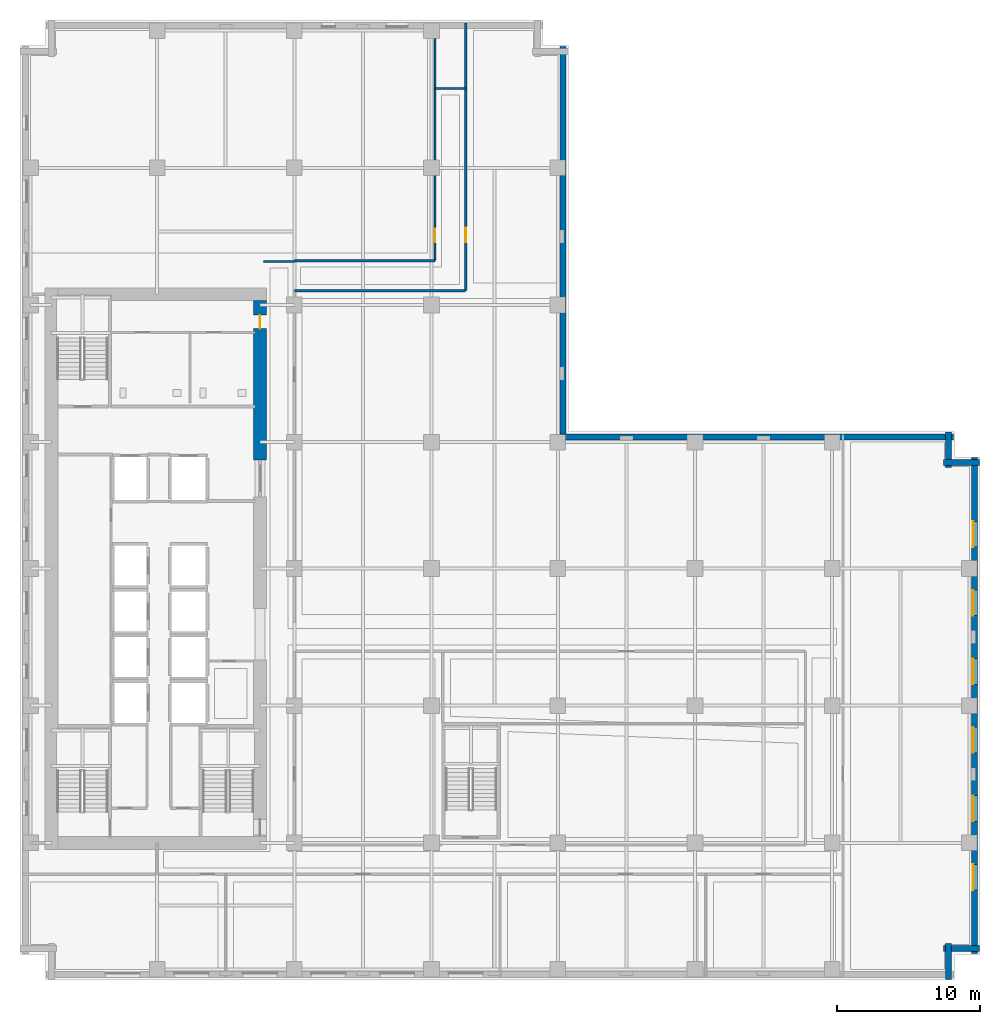
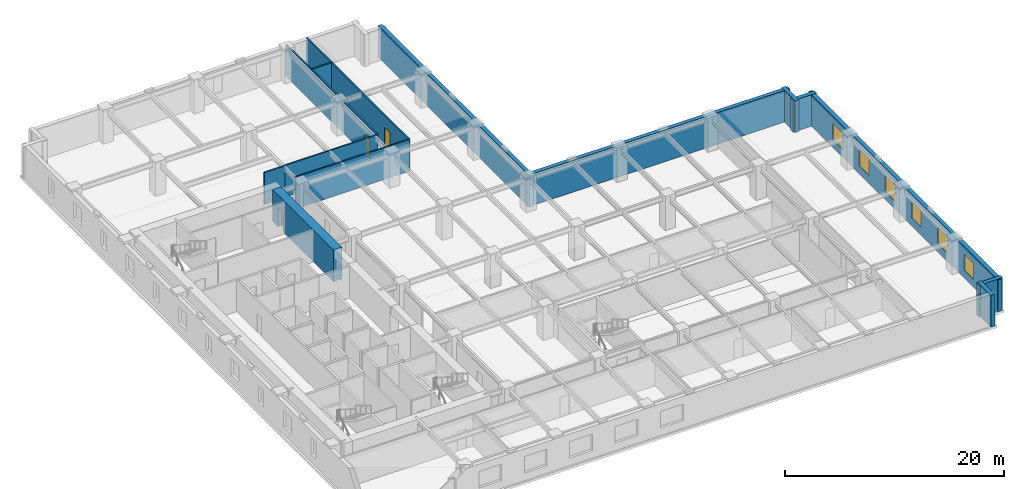
# One storey, part 7 of 13: 14 walls, 6 windows, 3 doors, 9 openings.
"""IFC4 building model written with IfcOpenShell, lengths in metres."""

from ifc_helpers import new_model, si_unit, direction, frame, frame_2d, origin, place, context, subcontext, project, spatial, rectangle, extrude, material, layer, layer_set, type_object, element, fill, save


model = new_model("IFC4")

# Units and contexts
model_context = context("Model", 3, precision=1e-05, world=origin(), true_north=direction((0.0, 1.0)))
body_context = subcontext(model_context, "Body", "Model", "MODEL_VIEW")
ifc_project = project(units=[si_unit("LENGTHUNIT", "METRE"), si_unit("AREAUNIT", "SQUARE_METRE"), si_unit("VOLUMEUNIT", "CUBIC_METRE"), si_unit("PLANEANGLEUNIT", "RADIAN"), si_unit("MASSUNIT", "GRAM", prefix="KILO")], contexts=[model_context])

# Site, building, storey
site_placement = place(None, origin())
site = spatial("IfcSite", under=ifc_project, at=site_placement, CompositionType="ELEMENT")
building_placement = place(site_placement, origin())
building = spatial("IfcBuilding", under=site, at=building_placement, Name="Norrvale University Quadrangle", CompositionType="ELEMENT")
storey_placement = place(building_placement, frame((0.0, 0.0, 77.39990234375)))
storey = spatial("IfcBuildingStorey", under=building, at=storey_placement, Name="L19", CompositionType="ELEMENT", Elevation=77.39990234375)

# Walls
ifc_material_1 = material(Name="Buff Norman Clay Brick Masonry", Category="masonry")
ifc_layer_1 = layer(ifc_material_1, 0.419921875, Name="Buff Norman Clay Brick Masonry")
ifc_layer_set_1 = layer_set([ifc_layer_1], Name="Buff Norman Clay Brick Masonry")
wall_type_1 = type_object("IfcWallType", Name="Wall Buff Brick 420", PredefinedType="SOLIDWALL", material=ifc_layer_set_1)
for number, where, z_axis, x_axis, name in (
    (1, (65.010009765625, 0.0400390625, 0.0), (0.0, 0.0, 1.0), (0.0, 1.0, 0.0), "Exterior Brick Facade Wall L19-02.1"),
    (2, (64.659912109375, 2.18994140625, 0.0), (0.0, 0.0, 1.0), (1.0, 0.0, 0.0), "Exterior Brick Facade Wall L19-03.1"),
):
    element("IfcWall", number, at=place(storey_placement, frame(where, z_axis=z_axis, x_axis=x_axis)), inside=storey, type_object=wall_type_1, Name=name, PredefinedType="SOLIDWALL", context=body_context, shape_type="SweptSolid", body=[
        extrude(rectangle(XDim=2.5, YDim=0.419921875, at=frame_2d((1.25, 0.0))), origin(), (0.0, 0.0, 1.0), 3.5400390625),
    ])

# Wall, openings, windows
wall_1_placement = place(storey_placement, frame((66.81005859375, 1.840087890625, 0.0), z_axis=(0.0, 0.0, 1.0), x_axis=(0.0, 1.0, 0.0)))
wall_1 = element("IfcWall", 3, at=wall_1_placement, inside=storey, type_object=wall_type_1, Name="Exterior Brick Facade Wall L19-04.1", PredefinedType="SOLIDWALL", context=body_context, shape_type="SweptSolid", body=[
    extrude(rectangle(XDim=34.719970703125, YDim=0.419921875, at=frame_2d((17.35986328125, 0.0))), origin(), (0.0, 0.0, 1.0), 3.5400390625),
])
opening_1_placement = place(wall_1_placement, frame((4.4599609375, 0.0, 0.85009765625)))
opening_1 = element("IfcOpeningElement", 4, at=opening_1_placement, cuts=wall_1, Name="Opening W01", PredefinedType="OPENING", context=body_context, shape_type="SweptSolid", body=[
    extrude(rectangle(XDim=1.800048828125, YDim=1.85009765625, at=frame_2d((0.89990234375, 0.925048828125))), frame((0.0, 0.221923828125, 0.0), z_axis=(0.0, -1.0, 0.0), x_axis=(1.0, 0.0, 0.0)), (0.0, 0.0, 1.0), 0.44384765625),
])
opening_2_placement = place(wall_1_placement, frame((9.260009765625, 0.0, 0.85009765625)))
opening_2 = element("IfcOpeningElement", 5, at=opening_2_placement, cuts=wall_1, Name="Opening W01", PredefinedType="OPENING", context=body_context, shape_type="SweptSolid", body=[
    extrude(rectangle(XDim=1.800048828125, YDim=1.85009765625, at=frame_2d((0.89990234375, 0.925048828125))), frame((0.0, 0.221923828125, 0.0), z_axis=(0.0, -1.0, 0.0), x_axis=(1.0, 0.0, 0.0)), (0.0, 0.0, 1.0), 0.44384765625),
])
opening_3_placement = place(wall_1_placement, frame((14.06005859375, 0.0, 0.85009765625)))
opening_3 = element("IfcOpeningElement", 6, at=opening_3_placement, cuts=wall_1, Name="Opening W01", PredefinedType="OPENING", context=body_context, shape_type="SweptSolid", body=[
    extrude(rectangle(XDim=1.800048828125, YDim=1.85009765625, at=frame_2d((0.89990234375, 0.925048828125))), frame((0.0, 0.221923828125, 0.0), z_axis=(0.0, -1.0, 0.0), x_axis=(1.0, 0.0, 0.0)), (0.0, 0.0, 1.0), 0.44384765625),
])
opening_4_placement = place(wall_1_placement, frame((18.860107421875, 0.0, 0.85009765625)))
opening_4 = element("IfcOpeningElement", 7, at=opening_4_placement, cuts=wall_1, Name="Opening W01", PredefinedType="OPENING", context=body_context, shape_type="SweptSolid", body=[
    extrude(rectangle(XDim=1.800048828125, YDim=1.85009765625, at=frame_2d((0.89990234375, 0.925048828125))), frame((0.0, 0.221923828125, 0.0), z_axis=(0.0, -1.0, 0.0), x_axis=(1.0, 0.0, 0.0)), (0.0, 0.0, 1.0), 0.44384765625),
])
opening_5_placement = place(wall_1_placement, frame((23.659912109375, 0.0, 0.85009765625)))
opening_5 = element("IfcOpeningElement", 8, at=opening_5_placement, cuts=wall_1, Name="Opening W01", PredefinedType="OPENING", context=body_context, shape_type="SweptSolid", body=[
    extrude(rectangle(XDim=1.800048828125, YDim=1.85009765625, at=frame_2d((0.89990234375, 0.925048828125))), frame((0.0, 0.221923828125, 0.0), z_axis=(0.0, -1.0, 0.0), x_axis=(1.0, 0.0, 0.0)), (0.0, 0.0, 1.0), 0.44384765625),
])
opening_6_placement = place(wall_1_placement, frame((28.4599609375, 0.0, 0.85009765625)))
opening_6 = element("IfcOpeningElement", 9, at=opening_6_placement, cuts=wall_1, Name="Opening W01", PredefinedType="OPENING", context=body_context, shape_type="SweptSolid", body=[
    extrude(rectangle(XDim=1.800048828125, YDim=1.85009765625, at=frame_2d((0.89990234375, 0.925048828125))), frame((0.0, 0.221923828125, 0.0), z_axis=(0.0, -1.0, 0.0), x_axis=(1.0, 0.0, 0.0)), (0.0, 0.0, 1.0), 0.44384765625),
])
ifc_material_2 = material(Name="Triple Low-E Argon Glazing", Category="glass")
window_type = type_object("IfcWindowType", Name="Window Academic 1800x2300", PartitioningType="DOUBLE_PANEL_VERTICAL", PredefinedType="WINDOW", material=ifc_material_2)
window_1_placement = place(opening_1_placement, origin())
window_1 = element("IfcWindow", 10, at=window_1_placement, inside=storey, type_object=window_type, Name="Window Academic 1800x2300 WIN-L19-E04-1-01", OverallHeight=1.85009765625, OverallWidth=1.800048828125, PartitioningType="DOUBLE_PANEL_VERTICAL", PredefinedType="WINDOW", context=body_context, shape_type="SweptSolid", body=[
    extrude(rectangle(XDim=1.800048828125, YDim=1.85009765625, at=frame_2d((0.89990234375, 0.925048828125))), frame((0.0, 0.110107421875, 0.0), z_axis=(0.0, -1.0, 0.0), x_axis=(1.0, 0.0, 0.0)), (0.0, 0.0, 1.0), 0.06005859375),
])
fill(opening_1, window_1)
window_2_placement = place(opening_2_placement, origin())
window_2 = element("IfcWindow", 11, at=window_2_placement, inside=storey, type_object=window_type, Name="Window Academic 1800x2300 WIN-L19-E04-1-02", OverallHeight=1.85009765625, OverallWidth=1.800048828125, PartitioningType="DOUBLE_PANEL_VERTICAL", PredefinedType="WINDOW", context=body_context, shape_type="SweptSolid", body=[
    extrude(rectangle(XDim=1.800048828125, YDim=1.85009765625, at=frame_2d((0.89990234375, 0.925048828125))), frame((0.0, 0.110107421875, 0.0), z_axis=(0.0, -1.0, 0.0), x_axis=(1.0, 0.0, 0.0)), (0.0, 0.0, 1.0), 0.06005859375),
])
fill(opening_2, window_2)
window_3_placement = place(opening_3_placement, origin())
window_3 = element("IfcWindow", 12, at=window_3_placement, inside=storey, type_object=window_type, Name="Window Academic 1800x2300 WIN-L19-E04-1-03", OverallHeight=1.85009765625, OverallWidth=1.800048828125, PartitioningType="DOUBLE_PANEL_VERTICAL", PredefinedType="WINDOW", context=body_context, shape_type="SweptSolid", body=[
    extrude(rectangle(XDim=1.800048828125, YDim=1.85009765625, at=frame_2d((0.89990234375, 0.925048828125))), frame((0.0, 0.110107421875, 0.0), z_axis=(0.0, -1.0, 0.0), x_axis=(1.0, 0.0, 0.0)), (0.0, 0.0, 1.0), 0.06005859375),
])
fill(opening_3, window_3)
window_4_placement = place(opening_4_placement, origin())
window_4 = element("IfcWindow", 13, at=window_4_placement, inside=storey, type_object=window_type, Name="Window Academic 1800x2300 WIN-L19-E04-1-04", OverallHeight=1.85009765625, OverallWidth=1.800048828125, PartitioningType="DOUBLE_PANEL_VERTICAL", PredefinedType="WINDOW", context=body_context, shape_type="SweptSolid", body=[
    extrude(rectangle(XDim=1.800048828125, YDim=1.85009765625, at=frame_2d((0.89990234375, 0.925048828125))), frame((0.0, 0.110107421875, 0.0), z_axis=(0.0, -1.0, 0.0), x_axis=(1.0, 0.0, 0.0)), (0.0, 0.0, 1.0), 0.06005859375),
])
fill(opening_4, window_4)
window_5_placement = place(opening_5_placement, origin())
window_5 = element("IfcWindow", 14, at=window_5_placement, inside=storey, type_object=window_type, Name="Window Academic 1800x2300 WIN-L19-E04-1-05", OverallHeight=1.85009765625, OverallWidth=1.800048828125, PartitioningType="DOUBLE_PANEL_VERTICAL", PredefinedType="WINDOW", context=body_context, shape_type="SweptSolid", body=[
    extrude(rectangle(XDim=1.800048828125, YDim=1.85009765625, at=frame_2d((0.89990234375, 0.925048828125))), frame((0.0, 0.110107421875, 0.0), z_axis=(0.0, -1.0, 0.0), x_axis=(1.0, 0.0, 0.0)), (0.0, 0.0, 1.0), 0.06005859375),
])
fill(opening_5, window_5)
window_6_placement = place(opening_6_placement, origin())
window_6 = element("IfcWindow", 15, at=window_6_placement, inside=storey, type_object=window_type, Name="Window Academic 1800x2300 WIN-L19-E04-1-06", OverallHeight=1.85009765625, OverallWidth=1.800048828125, PartitioningType="DOUBLE_PANEL_VERTICAL", PredefinedType="WINDOW", context=body_context, shape_type="SweptSolid", body=[
    extrude(rectangle(XDim=1.800048828125, YDim=1.85009765625, at=frame_2d((0.89990234375, 0.925048828125))), frame((0.0, 0.110107421875, 0.0), z_axis=(0.0, -1.0, 0.0), x_axis=(1.0, 0.0, 0.0)), (0.0, 0.0, 1.0), 0.06005859375),
])
fill(opening_6, window_6)

# Walls
for number, where, z_axis, x_axis, name in (
    (16, (67.159912109375, 36.2099609375, 0.0), (0.0, 0.0, 1.0), (-1.0, 0.0, 0.0), "Exterior Brick Facade Wall L19-05.1"),
    (17, (65.010009765625, 35.860107421875, 0.0), (0.0, 0.0, 1.0), (0.0, 1.0, 0.0), "Exterior Brick Facade Wall L19-06.1"),
):
    element("IfcWall", number, at=place(storey_placement, frame(where, z_axis=z_axis, x_axis=x_axis)), inside=storey, type_object=wall_type_1, Name=name, PredefinedType="SOLIDWALL", context=body_context, shape_type="SweptSolid", body=[
        extrude(rectangle(XDim=2.5, YDim=0.419921875, at=frame_2d((1.25, 0.0))), origin(), (0.0, 0.0, 1.0), 3.5400390625),
    ])
for number, where, z_axis, x_axis, name in (
    (18, (65.360107421875, 38.010009765625, 0.0), (0.0, 0.0, 1.0), (-1.0, 0.0, 0.0), "Exterior Brick Facade Wall L19-07.1"),
    (19, (38.010009765625, 37.659912109375, 0.0), (0.0, 0.0, 1.0), (0.0, 1.0, 0.0), "Exterior Brick Facade Wall L19-08.1"),
):
    element("IfcWall", number, at=place(storey_placement, frame(where, z_axis=z_axis, x_axis=x_axis)), inside=storey, type_object=wall_type_1, Name=name, PredefinedType="SOLIDWALL", context=body_context, shape_type="SweptSolid", body=[
        extrude(rectangle(XDim=27.7001953125, YDim=0.419921875, at=frame_2d((13.85009765625, 0.0))), origin(), (0.0, 0.0, 1.0), 3.5400390625),
    ])

# Wall, opening, door
ifc_material_3 = material(Name="Concrete C80/95", Category="concrete")
ifc_layer_2 = layer(ifc_material_3, 0.89990234375, Name="Concrete C80/95")
ifc_layer_set_2 = layer_set([ifc_layer_2], Name="Concrete C80/95")
wall_type_2 = type_object("IfcWallType", Name="Wall Core 900", PredefinedType="SHEAR", material=ifc_layer_set_2)
wall_2_placement = place(storey_placement, frame((16.800048828125, 36.39990234375, 0.0), z_axis=(0.0, 0.0, 1.0), x_axis=(0.0, 1.0, 0.0)))
wall_2 = element("IfcWall", 20, at=wall_2_placement, inside=storey, type_object=wall_type_2, Name="Tower Core Shear Wall L19-E3", PredefinedType="SHEAR", context=body_context, shape_type="SweptSolid", body=[
    extrude(rectangle(XDim=11.150146484375, YDim=0.89990234375, at=frame_2d((5.5751953125, 0.0))), origin(), (0.0, 0.0, 1.0), 3.5400390625),
])
opening_7_placement = place(wall_2_placement, frame((9.199951171875, 0.0, 0.0)))
opening_7 = element("IfcOpeningElement", 21, at=opening_7_placement, cuts=wall_2, Name="Opening D07", PredefinedType="OPENING", context=body_context, shape_type="SweptSolid", body=[
    extrude(rectangle(XDim=0.949951171875, YDim=2.14990234375, at=frame_2d((0.47509765625, 1.074951171875))), frame((0.0, 0.4619140625, 0.0), z_axis=(0.0, -1.0, 0.0), x_axis=(1.0, 0.0, 0.0)), (0.0, 0.0, 1.0), 0.923828125),
])
ifc_material_4 = material(Name="Solid-Core Maple Door", Category="wood")
door_type_1 = type_object("IfcDoorType", Name="Door Office 950x2150", OperationType="NOTDEFINED", PredefinedType="DOOR", material=ifc_material_4)
door_1_placement = place(opening_7_placement, origin())
door_1 = element("IfcDoor", 22, at=door_1_placement, inside=storey, type_object=door_type_1, Name="Door Office 950x2150 DR-L19-NECORR", OperationType="SINGLE_SWING_RIGHT", OverallHeight=2.14990234375, OverallWidth=0.949951171875, PredefinedType="DOOR", context=body_context, shape_type="SweptSolid", body=[
    extrude(rectangle(XDim=0.949951171875, YDim=2.14990234375, at=frame_2d((0.47509765625, 1.074951171875))), frame((0.0, 0.02490234375, 0.0), z_axis=(0.0, -1.0, 0.0), x_axis=(1.0, 0.0, 0.0)), (0.0, 0.0, 1.0), 0.050048828125),
])
fill(opening_7, door_1)

# Walls
ifc_material_5 = material(Name="Fire-Rated Gypsum Stud Partition")
ifc_layer_3 = layer(ifc_material_5, 0.14990234375, Name="Fire-Rated Gypsum Stud Partition")
ifc_layer_set_3 = layer_set([ifc_layer_3], Name="Fire-Rated Gypsum Stud Partition")
wall_type_3 = type_object("IfcWallType", Name="Wall Gypsum Corridor 150", PredefinedType="PARTITIONING", material=ifc_layer_set_3)
wall_3_placement = place(storey_placement, frame((17.050048828125, 50.300048828125, 0.0), z_axis=(0.0, 0.0, 1.0), x_axis=(1.0, 0.0, 0.0)))
element("IfcWall", 23, at=wall_3_placement, inside=storey, type_object=wall_type_3, Name="Interior Partition WL-L19-CN-END", PredefinedType="PARTITIONING", context=body_context, shape_type="SweptSolid", body=[
    extrude(rectangle(XDim=2.14990234375, YDim=0.14990234375, at=frame_2d((1.074951171875, 0.0))), origin(), (0.0, 0.0, 1.0), 3.5400390625),
])
wall_4_placement = place(storey_placement, frame((19.199951171875, 48.25, 0.0), z_axis=(0.0, 0.0, 1.0), x_axis=(1.0, 0.0, 0.0)))
element("IfcWall", 24, at=wall_4_placement, inside=storey, type_object=wall_type_3, Name="Interior Partition WL-L19-JOGS", PredefinedType="PARTITIONING", context=body_context, shape_type="SweptSolid", body=[
    extrude(rectangle(XDim=12.0, YDim=0.14990234375, at=frame_2d((6.0, 0.0))), origin(), (0.0, 0.0, 1.0), 3.5400390625),
])
wall_5_placement = place(storey_placement, frame((19.199951171875, 50.35009765625, 0.0), z_axis=(0.0, 0.0, 1.0), x_axis=(1.0, 0.0, 0.0)))
element("IfcWall", 25, at=wall_5_placement, inside=storey, type_object=wall_type_3, Name="Interior Partition WL-L19-JOGN", PredefinedType="PARTITIONING", context=body_context, shape_type="SweptSolid", body=[
    extrude(rectangle(XDim=9.85009765625, YDim=0.14990234375, at=frame_2d((4.925048828125, 0.0))), origin(), (0.0, 0.0, 1.0), 3.5400390625),
])
wall_6_placement = place(storey_placement, frame((29.050048828125, 62.39990234375, 0.0), z_axis=(0.0, 0.0, 1.0), x_axis=(1.0, 0.0, 0.0)))
element("IfcWall", 26, at=wall_6_placement, inside=storey, type_object=wall_type_3, Name="Interior Partition WL-L19-JOGEND", PredefinedType="PARTITIONING", context=body_context, shape_type="SweptSolid", body=[
    extrude(rectangle(XDim=2.14990234375, YDim=0.14990234375, at=frame_2d((1.074951171875, 0.0))), origin(), (0.0, 0.0, 1.0), 3.5400390625),
])

# Wall, opening, door
wall_7_placement = place(storey_placement, frame((31.199951171875, 48.25, 0.0), z_axis=(0.0, 0.0, 1.0), x_axis=(0.0, 1.0, 0.0)))
wall_7 = element("IfcWall", 27, at=wall_7_placement, inside=storey, type_object=wall_type_3, Name="Interior Partition WL-L19-NECW", PredefinedType="PARTITIONING", context=body_context, shape_type="SweptSolid", body=[
    extrude(rectangle(XDim=18.72998046875, YDim=0.14990234375, at=frame_2d((9.364990234375, 0.0))), origin(), (0.0, 0.0, 1.0), 3.5400390625),
])
opening_8_placement = place(wall_7_placement, frame((3.39990234375, 0.0, 0.0)))
opening_8 = element("IfcOpeningElement", 28, at=opening_8_placement, cuts=wall_7, Name="Opening D04", PredefinedType="OPENING", context=body_context, shape_type="SweptSolid", body=[
    extrude(rectangle(XDim=1.0, YDim=2.199951171875, at=frame_2d((0.5, 1.10009765625))), frame((0.0, 0.0869140625, 0.0), z_axis=(0.0, -1.0, 0.0), x_axis=(1.0, 0.0, 0.0)), (0.0, 0.0, 1.0), 0.173828125),
])
ifc_material_6 = material(Name="Solid-Core Oak Fire Door", Category="wood")
door_type_2 = type_object("IfcDoorType", Name="Door Corridor 1000x2200", OperationType="NOTDEFINED", PredefinedType="DOOR", material=ifc_material_6)
door_2_placement = place(opening_8_placement, origin())
door_2 = element("IfcDoor", 29, at=door_2_placement, inside=storey, type_object=door_type_2, Name="Door Corridor 1000x2200 DR-L19-NE01", OperationType="SINGLE_SWING_RIGHT", OverallHeight=2.199951171875, OverallWidth=1.0, PredefinedType="DOOR", context=body_context, shape_type="SweptSolid", body=[
    extrude(rectangle(XDim=1.0, YDim=2.199951171875, at=frame_2d((0.5, 1.10009765625))), frame((0.0, 0.02490234375, 0.0), z_axis=(0.0, -1.0, 0.0), x_axis=(1.0, 0.0, 0.0)), (0.0, 0.0, 1.0), 0.050048828125),
])
fill(opening_8, door_2)

wall_8_placement = place(storey_placement, frame((29.050048828125, 50.35009765625, 0.0), z_axis=(0.0, 0.0, 1.0), x_axis=(0.0, 1.0, 0.0)))
wall_8 = element("IfcWall", 30, at=wall_8_placement, inside=storey, type_object=wall_type_3, Name="Interior Partition WL-L19-NWCW", PredefinedType="PARTITIONING", context=body_context, shape_type="SweptSolid", body=[
    extrude(rectangle(XDim=16.6298828125, YDim=0.14990234375, at=frame_2d((8.31494140625, 0.0))), origin(), (0.0, 0.0, 1.0), 3.5400390625),
])
opening_9_placement = place(wall_8_placement, frame((1.300048828125, 0.0, 0.0)))
opening_9 = element("IfcOpeningElement", 31, at=opening_9_placement, cuts=wall_8, Name="Opening D07", PredefinedType="OPENING", context=body_context, shape_type="SweptSolid", body=[
    extrude(rectangle(XDim=0.949951171875, YDim=2.14990234375, at=frame_2d((0.47509765625, 1.074951171875))), frame((0.0, 0.0869140625, 0.0), z_axis=(0.0, -1.0, 0.0), x_axis=(1.0, 0.0, 0.0)), (0.0, 0.0, 1.0), 0.173828125),
])
door_3_placement = place(opening_9_placement, origin())
door_3 = element("IfcDoor", 32, at=door_3_placement, inside=storey, type_object=door_type_1, Name="Door Office 950x2150 DR-L19-NW01", OperationType="SINGLE_SWING_RIGHT", OverallHeight=2.14990234375, OverallWidth=0.949951171875, PredefinedType="DOOR", context=body_context, shape_type="SweptSolid", body=[
    extrude(rectangle(XDim=0.949951171875, YDim=2.14990234375, at=frame_2d((0.47509765625, 1.074951171875))), frame((0.0, 0.02490234375, 0.0), z_axis=(0.0, -1.0, 0.0), x_axis=(1.0, 0.0, 0.0)), (0.0, 0.0, 1.0), 0.050048828125),
])
fill(opening_9, door_3)

save(model, "model.ifc")
